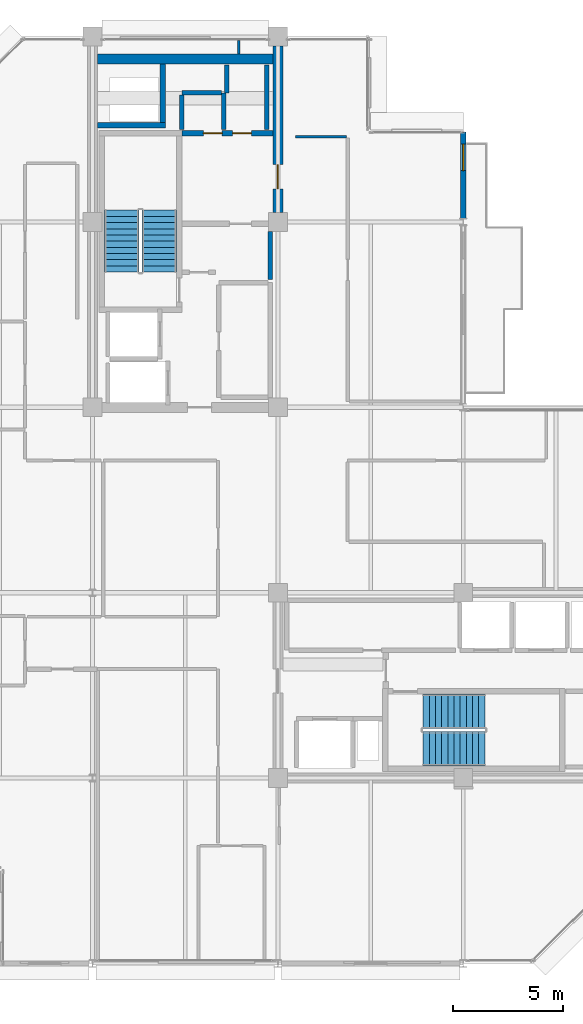
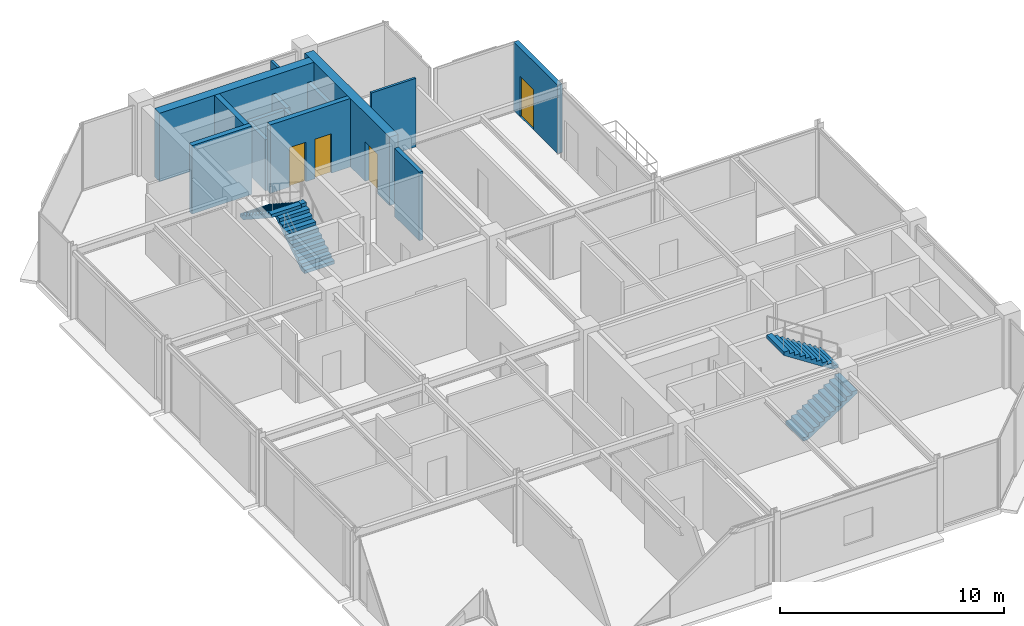
# One storey, part 22 of 25: 14 walls, 4 doors, 4 stair flights, 4 openings, 2 elements without a shape of their own.
"""IFC4 building model written with IfcOpenShell, lengths in metres."""

from ifc_helpers import new_model, si_unit, direction, frame, frame_2d, origin, place, context, subcontext, project, spatial, polyline, rectangle, outline, extrude, material, layer, layer_set, type_object, element, fill, aggregate, save


model = new_model("IFC4")

# Units and contexts
model_context = context("Model", 3, precision=1e-05, world=origin(), true_north=direction((0.0, 1.0)))
body_context = subcontext(model_context, "Body", "Model", "MODEL_VIEW")
ifc_project = project(units=[si_unit("LENGTHUNIT", "METRE"), si_unit("AREAUNIT", "SQUARE_METRE"), si_unit("VOLUMEUNIT", "CUBIC_METRE"), si_unit("PLANEANGLEUNIT", "RADIAN"), si_unit("MASSUNIT", "GRAM", prefix="KILO")], contexts=[model_context])

# Site, building, storey
site_placement = place(None, origin())
site = spatial("IfcSite", under=ifc_project, at=site_placement, CompositionType="ELEMENT")
building_placement = place(site_placement, origin())
building = spatial("IfcBuilding", under=site, at=building_placement, Name="Nerrivon Quay Data Exchange", CompositionType="ELEMENT")
storey_placement = place(building_placement, frame((0.0, 0.0, 302.199951171875)))
storey = spatial("IfcBuildingStorey", under=building, at=storey_placement, Name="L72", CompositionType="ELEMENT", Elevation=302.199951171875)

# Wall, opening, door
ifc_material_1 = material(Name="Architectural terracotta precast concrete N50 (50 MPa)", Category="masonry")
ifc_layer_1 = layer(ifc_material_1, 0.239990234375)
ifc_layer_set_1 = layer_set([ifc_layer_1], Name="Architectural terracotta precast concrete N50 (50 MPa)")
wall_type_1 = type_object("IfcWallType", Name="EW-PREC-240", PredefinedType="STANDARD", material=ifc_layer_set_1)
wall_1_placement = place(storey_placement, frame((25.199951171875, 37.679931640625, 0.0), z_axis=(0.0, 0.0, 1.0), x_axis=(0.0, -1.0, 0.0)))
wall_1 = element("IfcWall", 1, at=wall_1_placement, inside=storey, type_object=wall_type_1, Name="L72 Terrace Host Wall 19", PredefinedType="STANDARD", context=body_context, shape_type="SweptSolid", body=[
    extrude(rectangle(XDim=3.91650390625, YDim=0.239990234375, at=frame_2d((1.958251953125, 0.0))), origin(), (0.0, 0.0, 1.0), 3.72509765625),
])
opening_1_placement = place(wall_1_placement, frame((0.550048828125, 0.0, 0.0)))
opening_1 = element("IfcOpeningElement", 2, at=opening_1_placement, cuts=wall_1, Name="Opening TD1", PredefinedType="OPENING", context=body_context, shape_type="SweptSolid", body=[
    extrude(rectangle(XDim=1.199951171875, YDim=2.199951171875, at=frame_2d((0.60009765625, 1.10009765625))), frame((0.0, 0.1298828125, 0.0), z_axis=(0.0, -1.0, 0.0), x_axis=(1.0, 0.0, 0.0)), (0.0, 0.0, 1.0), 0.260009765625),
])
ifc_material_2 = material(Name="Double-glazed low-E solar control glass", Category="glass")
door_type_1 = type_object("IfcDoorType", Name="DR-TERR-1200x2200", OperationType="NOTDEFINED", PredefinedType="DOOR", material=ifc_material_2)
door_1_placement = place(opening_1_placement, origin())
door_1 = element("IfcDoor", 3, at=door_1_placement, inside=storey, type_object=door_type_1, Name="L72 Outdoor Terrace Access Door 19", OperationType="SINGLE_SWING_RIGHT", OverallHeight=2.199951171875, OverallWidth=1.199951171875, PredefinedType="DOOR", context=body_context, shape_type="SweptSolid", body=[
    extrude(rectangle(XDim=1.199951171875, YDim=2.199951171875, at=frame_2d((0.60009765625, 1.10009765625))), frame((0.0, 0.02490234375, 0.0), z_axis=(0.0, -1.0, 0.0), x_axis=(1.0, 0.0, 0.0)), (0.0, 0.0, 1.0), 0.050048828125),
])
fill(opening_1, door_1)

# Wall
ifc_material_3 = material(Name="Concrete N50 (50 MPa)", Category="concrete")
ifc_layer_2 = layer(ifc_material_3, 0.449951171875)
ifc_layer_set_2 = layer_set([ifc_layer_2], Name="Concrete N50 (50 MPa)")
wall_type_2 = type_object("IfcWallType", Name="WALL-CW-550", PredefinedType="SHEAR", material=ifc_layer_set_2)
wall_2_placement = place(storey_placement, frame((8.625, 40.97509765625, 0.0), z_axis=(0.0, 0.0, 1.0), x_axis=(1.0, 0.0, 0.0)))
element("IfcWall", 4, at=wall_2_placement, inside=storey, type_object=wall_type_2, Name="L72 West Split-Core Shear Wall WCW-N1", PredefinedType="SHEAR", context=body_context, shape_type="SweptSolid", body=[
    extrude(rectangle(XDim=7.949951171875, YDim=0.449951171875, at=frame_2d((3.97509765625, 0.0))), origin(), (0.0, 0.0, 1.0), 3.72509765625),
])

# Wall, opening, door
wall_3_placement = place(storey_placement, frame((16.800048828125, 34.02490234375, 0.0), z_axis=(0.0, 0.0, 1.0), x_axis=(0.0, 1.0, 0.0)))
wall_3 = element("IfcWall", 5, at=wall_3_placement, inside=storey, type_object=wall_type_2, Name="L72 West Split-Core Shear Wall WCW-E1", PredefinedType="SHEAR", context=body_context, shape_type="SweptSolid", body=[
    extrude(rectangle(XDim=7.550048828125, YDim=0.449951171875, at=frame_2d((3.77490234375, 0.0))), origin(), (0.0, 0.0, 1.0), 3.72509765625),
])
opening_2_placement = place(wall_3_placement, frame((1.074951171875, 0.0, 0.0)))
opening_2 = element("IfcOpeningElement", 6, at=opening_2_placement, cuts=wall_3, Name="Opening FD-120", PredefinedType="OPENING", context=body_context, shape_type="SweptSolid", body=[
    extrude(rectangle(XDim=1.10009765625, YDim=2.14990234375, at=frame_2d((0.550048828125, 1.074951171875))), frame((0.0, 0.23486328125, 0.0), z_axis=(0.0, -1.0, 0.0), x_axis=(1.0, 0.0, 0.0)), (0.0, 0.0, 1.0), 0.469970703125),
])
ifc_material_4 = material(Name="Powder-coated galvanized steel sheet", Category="steel")
door_type_2 = type_object("IfcDoorType", Name="DR-FD120-1100", OperationType="NOTDEFINED", PredefinedType="DOOR", material=ifc_material_4)
door_2_placement = place(opening_2_placement, origin())
door_2 = element("IfcDoor", 7, at=door_2_placement, inside=storey, type_object=door_type_2, Name="L72 West Core Lobby Fire Door", OperationType="SINGLE_SWING_RIGHT", OverallHeight=2.14990234375, OverallWidth=1.10009765625, PredefinedType="DOOR", context=body_context, shape_type="SweptSolid", body=[
    extrude(rectangle(XDim=1.10009765625, YDim=2.14990234375, at=frame_2d((0.550048828125, 1.074951171875))), frame((0.0, 0.02490234375, 0.0), z_axis=(0.0, -1.0, 0.0), x_axis=(1.0, 0.0, 0.0)), (0.0, 0.0, 1.0), 0.050048828125),
])
fill(opening_2, door_2)

# Walls
ifc_material_5 = material(Name="Gypsum plasterboard on cold-formed framing", Category="gypsum")
ifc_layer_3 = layer(ifc_material_5, 0.199951171875)
ifc_layer_set_3 = layer_set([ifc_layer_3], Name="Gypsum plasterboard on cold-formed framing")
wall_type_3 = type_object("IfcWallType", Name="WALL-FW-200", PredefinedType="PARTITIONING", material=ifc_layer_set_3)
wall_4_placement = place(storey_placement, frame((16.449951171875, 31.0, 0.0), z_axis=(0.0, 0.0, 1.0), x_axis=(0.0, 1.0, 0.0)))
element("IfcWall", 8, at=wall_4_placement, inside=storey, type_object=wall_type_3, Name="L72 Partition Core Equipment Closet", PredefinedType="PARTITIONING", context=body_context, shape_type="SweptSolid", body=[
    extrude(rectangle(XDim=2.169921875, YDim=0.199951171875, at=frame_2d((1.0849609375, 0.0))), origin(), (0.0, 0.0, 1.0), 3.72509765625),
])
wall_5_placement = place(storey_placement, frame((14.35009765625, 37.780029296875, 0.0), z_axis=(0.0, 0.0, 1.0), x_axis=(0.0, 1.0, 0.0)))
element("IfcWall", 9, at=wall_5_placement, inside=storey, type_object=wall_type_3, Name="L72 Partition Equipment Store", PredefinedType="PARTITIONING", context=body_context, shape_type="SweptSolid", body=[
    extrude(rectangle(XDim=1.669921875, YDim=0.199951171875, at=frame_2d((0.8349609375, 0.0))), origin(), (0.0, 0.0, 1.0), 2.775146484375),
])
wall_6_placement = place(storey_placement, frame((14.24609375, 39.449951171875, 0.0), z_axis=(0.0, 0.0, 1.0), x_axis=(-1.0, 0.0, 0.0)))
element("IfcWall", 10, at=wall_6_placement, inside=storey, type_object=wall_type_3, Name="L72 Partition Equipment Store", PredefinedType="PARTITIONING", context=body_context, shape_type="SweptSolid", body=[
    extrude(rectangle(XDim=1.796142578125, YDim=0.199951171875, at=frame_2d((0.89794921875, 0.0))), origin(), (0.0, 0.0, 1.0), 2.775146484375),
])
wall_7_placement = place(storey_placement, frame((12.449951171875, 39.345947265625, 0.0), z_axis=(0.0, 0.0, 1.0), x_axis=(0.0, -1.0, 0.0)))
element("IfcWall", 11, at=wall_7_placement, inside=storey, type_object=wall_type_3, Name="L72 Partition Equipment Store", PredefinedType="PARTITIONING", context=body_context, shape_type="SweptSolid", body=[
    extrude(rectangle(XDim=1.56591796875, YDim=0.199951171875, at=frame_2d((0.782958984375, 0.0))), origin(), (0.0, 0.0, 1.0), 2.775146484375),
])
wall_8_placement = place(storey_placement, frame((16.300048828125, 37.780029296875, 0.0), z_axis=(0.0, 0.0, 1.0), x_axis=(0.0, 1.0, 0.0)))
element("IfcWall", 12, at=wall_8_placement, inside=storey, type_object=wall_type_3, Name="L72 Partition Cleaners Store", PredefinedType="PARTITIONING", context=body_context, shape_type="SweptSolid", body=[
    extrude(rectangle(XDim=2.919921875, YDim=0.199951171875, at=frame_2d((1.4599609375, 0.0))), origin(), (0.0, 0.0, 1.0), 2.775146484375),
])
wall_9_placement = place(storey_placement, frame((14.489990234375, 40.699951171875, 0.0), z_axis=(0.0, 0.0, 1.0), x_axis=(0.0, -1.0, 0.0)))
element("IfcWall", 13, at=wall_9_placement, inside=storey, type_object=wall_type_3, Name="L72 Partition Cleaners Store", PredefinedType="PARTITIONING", context=body_context, shape_type="SweptSolid", body=[
    extrude(rectangle(XDim=1.25, YDim=0.199951171875, at=frame_2d((0.625, 0.0))), origin(), (0.0, 0.0, 1.0), 2.775146484375),
])
ifc_layer_4 = layer(ifc_material_5, 0.1201171875)
ifc_layer_set_4 = layer_set([ifc_layer_4], Name="Gypsum plasterboard on cold-formed framing")
wall_type_4 = type_object("IfcWallType", Name="WALL-PT-120", PredefinedType="PARTITIONING", material=ifc_layer_set_4)
wall_10_placement = place(storey_placement, frame((15.0234375, 41.2041015625, 0.0), z_axis=(0.0, 0.0, 1.0), x_axis=(0.0, 1.0, 0.0)))
element("IfcWall", 14, at=wall_10_placement, inside=storey, type_object=wall_type_4, Name="L72 Partition Technical Library", PredefinedType="PARTITIONING", context=body_context, shape_type="SweptSolid", body=[
    extrude(rectangle(XDim=0.626953125, YDim=0.1201171875, at=frame_2d((0.3134765625, 0.0))), origin(), (0.0, 0.0, 1.0), 3.72509765625),
])
wall_11_placement = place(storey_placement, frame((17.60009765625, 37.4599609375, 0.0), z_axis=(0.0, 0.0, 1.0), x_axis=(1.0, 0.0, 0.0)))
element("IfcWall", 15, at=wall_11_placement, inside=storey, type_object=wall_type_4, Name="L72 Partition Cloud Compute Workspace 1", PredefinedType="PARTITIONING", context=body_context, shape_type="SweptSolid", body=[
    extrude(rectangle(XDim=2.2998046875, YDim=0.1201171875, at=frame_2d((1.14990234375, 0.0))), origin(), (0.0, 0.0, 1.0), 3.72509765625),
])
ifc_layer_5 = layer(ifc_material_3, 0.25)
ifc_layer_set_5 = layer_set([ifc_layer_5], Name="Concrete N50 (50 MPa)")
wall_type_5 = type_object("IfcWallType", Name="WALL-SW-250", PredefinedType="SHEAR", material=ifc_layer_set_5)
wall_12_placement = place(storey_placement, frame((8.625, 37.97509765625, 0.0), z_axis=(0.0, 0.0, 1.0), x_axis=(1.0, 0.0, 0.0)))
element("IfcWall", 16, at=wall_12_placement, inside=storey, type_object=wall_type_5, Name="L72 West Core MEP Riser Shaft Wall S", PredefinedType="SHEAR", context=body_context, shape_type="SweptSolid", body=[
    extrude(rectangle(XDim=3.074951171875, YDim=0.25, at=frame_2d((1.53759765625, 0.0))), origin(), (0.0, 0.0, 1.0), 3.72509765625),
])
wall_13_placement = place(storey_placement, frame((11.574951171875, 38.10009765625, 0.0), z_axis=(0.0, 0.0, 1.0), x_axis=(0.0, 1.0, 0.0)))
element("IfcWall", 17, at=wall_13_placement, inside=storey, type_object=wall_type_5, Name="L72 West Core MEP Riser Shaft Wall E", PredefinedType="SHEAR", context=body_context, shape_type="SweptSolid", body=[
    extrude(rectangle(XDim=2.64990234375, YDim=0.25, at=frame_2d((1.324951171875, 0.0))), origin(), (0.0, 0.0, 1.0), 3.72509765625),
])

# Wall, openings, doors
wall_14_placement = place(storey_placement, frame((12.449951171875, 37.625, 0.0), z_axis=(0.0, 0.0, 1.0), x_axis=(1.0, 0.0, 0.0)))
wall_14 = element("IfcWall", 18, at=wall_14_placement, inside=storey, type_object=wall_type_5, Name="L72 West Firefighting Lobby Wall", PredefinedType="SHEAR", context=body_context, shape_type="SweptSolid", body=[
    extrude(rectangle(XDim=4.125, YDim=0.25, at=frame_2d((2.0625, 0.0))), origin(), (0.0, 0.0, 1.0), 3.72509765625),
])
opening_3_placement = place(wall_14_placement, frame((0.9775390625, 0.0, 0.0)))
opening_3 = element("IfcOpeningElement", 19, at=opening_3_placement, cuts=wall_14, Name="Opening FD-60S", PredefinedType="OPENING", context=body_context, shape_type="SweptSolid", body=[
    extrude(rectangle(XDim=0.85009765625, YDim=2.14990234375, at=frame_2d((0.425048828125, 1.074951171875))), frame((0.0, 0.135009765625, 0.0), z_axis=(0.0, -1.0, 0.0), x_axis=(1.0, 0.0, 0.0)), (0.0, 0.0, 1.0), 0.27001953125),
])
opening_4_placement = place(wall_14_placement, frame((2.297607421875, 0.0, 0.0)))
opening_4 = element("IfcOpeningElement", 20, at=opening_4_placement, cuts=wall_14, Name="Opening FD-60S", PredefinedType="OPENING", context=body_context, shape_type="SweptSolid", body=[
    extrude(rectangle(XDim=0.85009765625, YDim=2.14990234375, at=frame_2d((0.425048828125, 1.074951171875))), frame((0.0, 0.135009765625, 0.0), z_axis=(0.0, -1.0, 0.0), x_axis=(1.0, 0.0, 0.0)), (0.0, 0.0, 1.0), 0.27001953125),
])
ifc_material_6 = material(Name="Engineered hardwood timber", Category="wood")
door_type_3 = type_object("IfcDoorType", Name="DR-FD60-850", OperationType="NOTDEFINED", PredefinedType="DOOR", material=ifc_material_6)
door_3_placement = place(opening_3_placement, origin())
door_3 = element("IfcDoor", 21, at=door_3_placement, inside=storey, type_object=door_type_3, Name="L72 Door Equipment Store", OperationType="SINGLE_SWING_LEFT", OverallHeight=2.14990234375, OverallWidth=0.85009765625, PredefinedType="DOOR", context=body_context, shape_type="SweptSolid", body=[
    extrude(rectangle(XDim=0.85009765625, YDim=2.14990234375, at=frame_2d((0.425048828125, 1.074951171875))), frame((0.0, 0.02490234375, 0.0), z_axis=(0.0, -1.0, 0.0), x_axis=(1.0, 0.0, 0.0)), (0.0, 0.0, 1.0), 0.050048828125),
])
fill(opening_3, door_3)
door_4_placement = place(opening_4_placement, origin())
door_4 = element("IfcDoor", 22, at=door_4_placement, inside=storey, type_object=door_type_3, Name="L72 Door Cleaners Store", OperationType="SINGLE_SWING_RIGHT", OverallHeight=2.14990234375, OverallWidth=0.85009765625, PredefinedType="DOOR", context=body_context, shape_type="SweptSolid", body=[
    extrude(rectangle(XDim=0.85009765625, YDim=2.14990234375, at=frame_2d((0.425048828125, 1.074951171875))), frame((0.0, 0.02490234375, 0.0), z_axis=(0.0, -1.0, 0.0), x_axis=(1.0, 0.0, 0.0)), (0.0, 0.0, 1.0), 0.050048828125),
])
fill(opening_4, door_4)

# Stair, stair flights
stair_type = type_object("IfcStairType", Name="STAIR-DOG-40", PredefinedType="HALF_TURN_STAIR", material=ifc_material_3)
stair_1_placement = place(storey_placement, origin())
stair_1 = element("IfcStair", 23, at=stair_1_placement, inside=storey, type_object=stair_type, Name="L72 West Core Fire Stair ST01", PredefinedType="HALF_TURN_STAIR")
stair_flight_type = type_object("IfcStairFlightType", Name="FLIGHT-DOG-40", PredefinedType="STRAIGHT", material=ifc_material_3)
stair_flight_1_placement = place(storey_placement, frame((11.425048828125, 31.330078125, 0.0), z_axis=(0.0, 0.0, 1.0), x_axis=(0.0, 1.0, 0.0)))
stair_flight_1 = element("IfcStairFlight", 24, at=stair_flight_1_placement, type_object=stair_flight_type, Name="ST01 flight 1", NumberOfRisers=11, NumberOfTreads=10, PredefinedType="STRAIGHT", RiserHeight=0.181818182, TreadLength=0.28, context=body_context, shape_type="SweptSolid", body=[
    extrude(outline(polyline([(0.0, 0.0), (0.0, 0.181884765625), (0.280029296875, 0.181884765625), (0.280029296875, 0.363525390625), (0.56005859375, 0.363525390625), (0.56005859375, 0.54541015625), (0.840087890625, 0.54541015625), (0.840087890625, 0.727294921875), (1.1201171875, 0.727294921875), (1.1201171875, 0.9091796875), (1.39990234375, 0.9091796875), (1.39990234375, 1.0908203125), (1.679931640625, 1.0908203125), (1.679931640625, 1.272705078125), (1.9599609375, 1.272705078125), (1.9599609375, 1.45458984375), (2.239990234375, 1.45458984375), (2.239990234375, 1.636474609375), (2.52001953125, 1.636474609375), (2.52001953125, 1.818115234375), (2.800048828125, 1.818115234375), (2.800048828125, 2.0), (2.800048828125, 1.639404296875), (0.275146484375, 0.0), (0.0, 0.0)])), frame((0.0, 0.77490234375, 0.0), z_axis=(0.0, -1.0, 0.0), x_axis=(1.0, 0.0, 0.0)), (0.0, 0.0, 1.0), 1.550048828125),
])
stair_flight_2_placement = place(storey_placement, frame((9.72509765625, 34.1298828125, 2.0), z_axis=(0.0, 0.0, 1.0), x_axis=(0.0, -1.0, 0.0)))
stair_flight_2 = element("IfcStairFlight", 25, at=stair_flight_2_placement, type_object=stair_flight_type, Name="ST01 flight 2", NumberOfRisers=11, NumberOfTreads=10, PredefinedType="STRAIGHT", RiserHeight=0.181818182, TreadLength=0.28, context=body_context, shape_type="SweptSolid", body=[
    extrude(outline(polyline([(0.0, 0.0), (0.0, 0.181884765625), (0.280029296875, 0.181884765625), (0.280029296875, 0.363525390625), (0.56005859375, 0.363525390625), (0.56005859375, 0.54541015625), (0.840087890625, 0.54541015625), (0.840087890625, 0.727294921875), (1.1201171875, 0.727294921875), (1.1201171875, 0.9091796875), (1.39990234375, 0.9091796875), (1.39990234375, 1.0908203125), (1.679931640625, 1.0908203125), (1.679931640625, 1.272705078125), (1.9599609375, 1.272705078125), (1.9599609375, 1.45458984375), (2.239990234375, 1.45458984375), (2.239990234375, 1.636474609375), (2.52001953125, 1.636474609375), (2.52001953125, 1.818115234375), (2.800048828125, 1.818115234375), (2.800048828125, 2.0), (2.800048828125, 1.639404296875), (0.275146484375, 0.0), (0.0, 0.0)])), frame((0.0, 0.77490234375, 0.0), z_axis=(0.0, -1.0, 0.0), x_axis=(1.0, 0.0, 0.0)), (0.0, 0.0, 1.0), 1.550048828125),
])
aggregate(stair_1, [stair_flight_1, stair_flight_2])

stair_2_placement = place(storey_placement, origin())
stair_2 = element("IfcStair", 26, at=stair_2_placement, inside=storey, type_object=stair_type, Name="L72 East Core Fire Stair ST02", PredefinedType="HALF_TURN_STAIR")
stair_flight_3_placement = place(storey_placement, frame((23.3798828125, 9.72509765625, 0.0), z_axis=(0.0, 0.0, 1.0), x_axis=(1.0, 0.0, 0.0)))
stair_flight_3 = element("IfcStairFlight", 27, at=stair_flight_3_placement, type_object=stair_flight_type, Name="ST02 flight 1", NumberOfRisers=11, NumberOfTreads=10, PredefinedType="STRAIGHT", RiserHeight=0.181818182, TreadLength=0.28, context=body_context, shape_type="SweptSolid", body=[
    extrude(outline(polyline([(0.0, 0.0), (0.0, 0.181884765625), (0.280029296875, 0.181884765625), (0.280029296875, 0.363525390625), (0.56005859375, 0.363525390625), (0.56005859375, 0.54541015625), (0.840087890625, 0.54541015625), (0.840087890625, 0.727294921875), (1.1201171875, 0.727294921875), (1.1201171875, 0.9091796875), (1.39990234375, 0.9091796875), (1.39990234375, 1.0908203125), (1.679931640625, 1.0908203125), (1.679931640625, 1.272705078125), (1.9599609375, 1.272705078125), (1.9599609375, 1.45458984375), (2.239990234375, 1.45458984375), (2.239990234375, 1.636474609375), (2.52001953125, 1.636474609375), (2.52001953125, 1.818115234375), (2.800048828125, 1.818115234375), (2.800048828125, 2.0), (2.800048828125, 1.639404296875), (0.275146484375, 0.0), (0.0, 0.0)])), frame((0.0, 0.77490234375, 0.0), z_axis=(0.0, -1.0, 0.0), x_axis=(1.0, 0.0, 0.0)), (0.0, 0.0, 1.0), 1.550048828125),
])
stair_flight_4_placement = place(storey_placement, frame((26.179931640625, 11.425048828125, 2.0), z_axis=(0.0, 0.0, 1.0), x_axis=(-1.0, 0.0, 0.0)))
stair_flight_4 = element("IfcStairFlight", 28, at=stair_flight_4_placement, type_object=stair_flight_type, Name="ST02 flight 2", NumberOfRisers=11, NumberOfTreads=10, PredefinedType="STRAIGHT", RiserHeight=0.181818182, TreadLength=0.28, context=body_context, shape_type="SweptSolid", body=[
    extrude(outline(polyline([(0.0, 0.0), (0.0, 0.181884765625), (0.280029296875, 0.181884765625), (0.280029296875, 0.363525390625), (0.56005859375, 0.363525390625), (0.56005859375, 0.54541015625), (0.840087890625, 0.54541015625), (0.840087890625, 0.727294921875), (1.1201171875, 0.727294921875), (1.1201171875, 0.9091796875), (1.39990234375, 0.9091796875), (1.39990234375, 1.0908203125), (1.679931640625, 1.0908203125), (1.679931640625, 1.272705078125), (1.9599609375, 1.272705078125), (1.9599609375, 1.45458984375), (2.239990234375, 1.45458984375), (2.239990234375, 1.636474609375), (2.52001953125, 1.636474609375), (2.52001953125, 1.818115234375), (2.800048828125, 1.818115234375), (2.800048828125, 2.0), (2.800048828125, 1.639404296875), (0.275146484375, 0.0), (0.0, 0.0)])), frame((0.0, 0.77490234375, 0.0), z_axis=(0.0, -1.0, 0.0), x_axis=(1.0, 0.0, 0.0)), (0.0, 0.0, 1.0), 1.550048828125),
])
aggregate(stair_2, [stair_flight_3, stair_flight_4])

save(model, "model.ifc")
